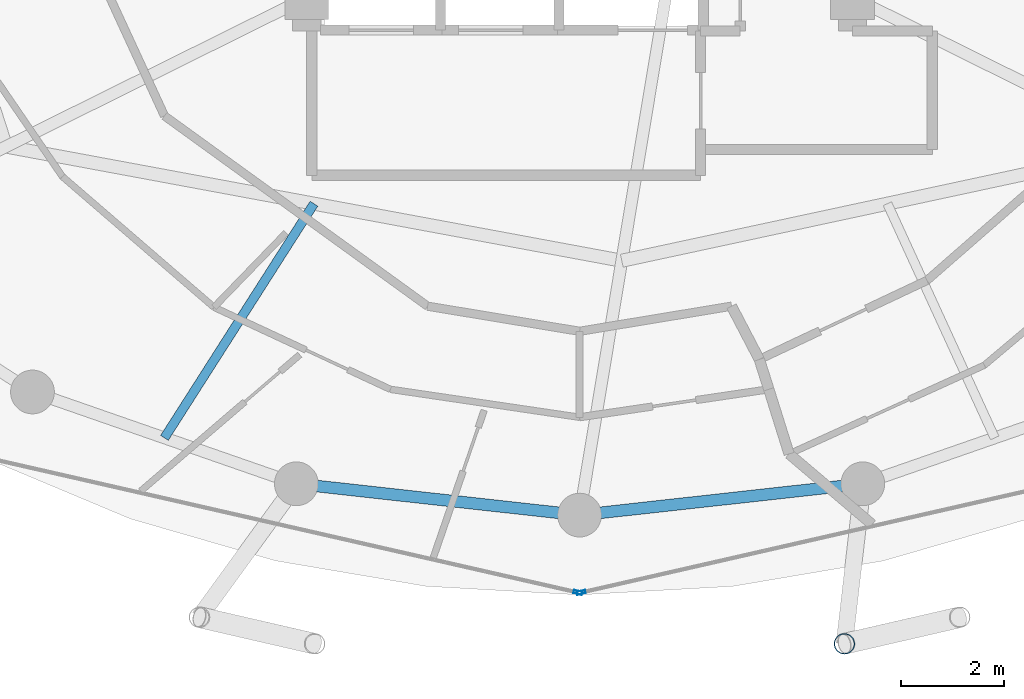
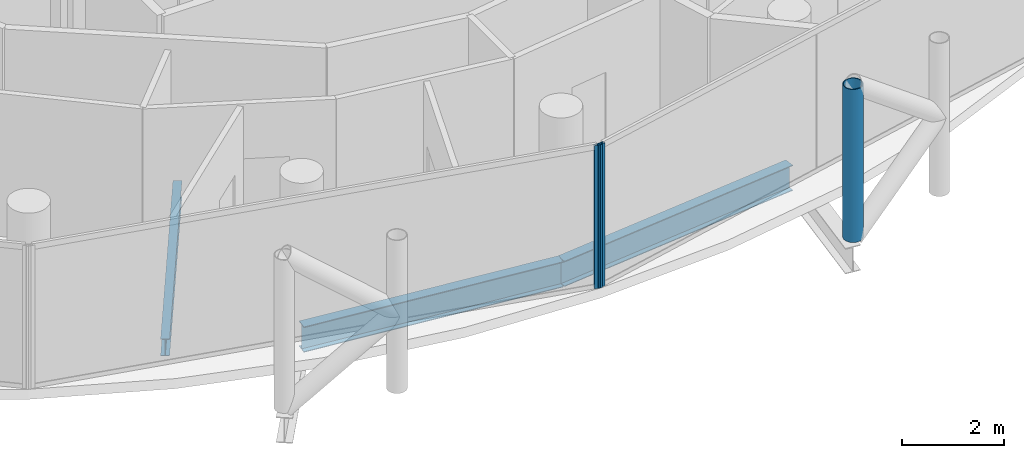
# One storey, part 5 of 27: 3 beams, 3 members, 2 elements without a shape of their own.
"""IFC4 building model written with IfcOpenShell, lengths in metres."""

from ifc_helpers import new_model, si_unit, direction, frame, origin, origin_2d, place, context, subcontext, project, spatial, hollow_rectangle, hollow_circle, i_section, extrude, material, layer, layer_set, material_profile, profile_set, type_object, element, aggregate, save


model = new_model("IFC4")

# Units and contexts
model_context = context("Model", 3, precision=1e-05, world=origin(), true_north=direction((0.0, 1.0)))
body_context = subcontext(model_context, "Body", "Model", "MODEL_VIEW")
ifc_project = project(units=[si_unit("LENGTHUNIT", "METRE"), si_unit("AREAUNIT", "SQUARE_METRE"), si_unit("VOLUMEUNIT", "CUBIC_METRE"), si_unit("PLANEANGLEUNIT", "RADIAN"), si_unit("MASSUNIT", "GRAM", prefix="KILO")], contexts=[model_context])

# Site, building, storey
site_placement = place(None, origin())
site = spatial("IfcSite", under=ifc_project, at=site_placement, CompositionType="ELEMENT")
building_placement = place(site_placement, origin())
building = spatial("IfcBuilding", under=site, at=building_placement, Name="Nuhasar Tower", CompositionType="ELEMENT")
storey_placement = place(building_placement, frame((0.0, 0.0, 244.64990234375)))
storey = spatial("IfcBuildingStorey", under=building, at=storey_placement, Name="L60", CompositionType="ELEMENT", Elevation=244.64990234375)

# Beams
ifc_material_1 = material(Name="Steel S355", Category="steel")
ifc_material_profile_1 = material_profile(ifc_material_1, i_section(OverallWidth=0.177978515625, OverallDepth=0.406005859375, WebThickness=0.0078125, FlangeThickness=0.0126953125, at=origin_2d()), Name="W16X40")
ifc_profile_set_1 = profile_set([ifc_material_profile_1], Name="Steel S355")
beam_type_1 = type_object("IfcBeamType", Name="BM-JST-W16X40", PredefinedType="JOIST", material=ifc_profile_set_1)
beam_placement = place(storey_placement, frame((33.842041015625, 14.998046875, -0.44287109375), z_axis=(-0.538168818546, -0.842837067733, 0.0), x_axis=(0.842837067733, -0.538168818546, 0.0)))
element("IfcBeam", 1, at=beam_placement, inside=storey, type_object=beam_type_1, Name="L60 Secondary Floor Joist 01", PredefinedType="JOIST", context=body_context, shape_type="SweptSolid", body=[
    extrude(i_section(OverallWidth=0.177978515625, OverallDepth=0.406005859375, WebThickness=0.0078125, FlangeThickness=0.0126953125, at=origin_2d()), origin(), (0.0, 0.0, 1.0), 5.396240234375),
])
ifc_material_profile_2 = material_profile(ifc_material_1, i_section(OverallWidth=0.22802734375, OverallDepth=0.60791015625, WebThickness=0.01123046875, FlangeThickness=0.017333984375, at=origin_2d()), Name="W24X76")
ifc_profile_set_2 = profile_set([ifc_material_profile_2], Name="Steel S355")
beam_type_2 = type_object("IfcBeamType", Name="BM-RING-W24X76", PredefinedType="SPANDREL", material=ifc_profile_set_2)
for number, where, z_axis, x_axis, name in (
    (2, (33.5, 9.55810546875, -0.5439453125), (0.993942242238, -0.109903680993, 0.0), (0.109903680993, 0.993942242238, 0.0), "L60 Perimeter Ring Spandrel 18"),
    (3, (39.0, 8.949951171875, -0.5439453125), (0.993942242238, 0.109903680993, 0.0), (-0.109903680993, 0.993942242238, 0.0), "L60 Perimeter Ring Spandrel 19"),
):
    element("IfcBeam", number, at=place(storey_placement, frame(where, z_axis=z_axis, x_axis=x_axis)), inside=storey, type_object=beam_type_2, Name=name, PredefinedType="SPANDREL", context=body_context, shape_type="SweptSolid", body=[
        extrude(i_section(OverallWidth=0.22802734375, OverallDepth=0.60791015625, WebThickness=0.01123046875, FlangeThickness=0.017333984375, at=origin_2d()), origin(), (0.0, 0.0, 1.0), 5.533447265625),
    ])

# Curtain wall, member
ifc_material_2 = material(Name="Aluminium 6063-T6", Category="aluminium")
ifc_layer = layer(ifc_material_2, 0.18994140625)
ifc_layer_set = layer_set([ifc_layer], Name="Aluminium 6063-T6")
curtain_wall_type = type_object("IfcCurtainWallType", Name="CW-Z3-RES", PredefinedType="NOTDEFINED", material=ifc_layer_set)
curtain_wall_1_placement = place(storey_placement, origin())
curtain_wall_1 = element("IfcCurtainWall", 4, at=curtain_wall_1_placement, inside=storey, type_object=curtain_wall_type, Name="L60 Unitised Curtain Wall 09", PredefinedType="NOTDEFINED")
ifc_material_profile_3 = material_profile(ifc_material_2, hollow_rectangle(XDim=0.06494140625, YDim=0.169921875, WallThickness=0.0048828125, at=origin_2d()), Name="CWM-4")
ifc_profile_set_3 = profile_set([ifc_material_profile_3], Name="Aluminium 6063-T6")
member_type_1 = type_object("IfcMemberType", Name="CW-MUL-S4", PredefinedType="MULLION", material=ifc_profile_set_3)
member_1_placement = place(storey_placement, frame((38.96826171875, 7.447265625, 0.0), z_axis=(0.0, 0.0, 1.0), x_axis=(0.222243176313, 0.974991266926, 0.0)))
member_1 = element("IfcMember", 5, at=member_1_placement, type_object=member_type_1, Name="CW-Z3 mullion 2", PredefinedType="MULLION", context=body_context, shape_type="SweptSolid", body=[
    extrude(hollow_rectangle(XDim=0.06494140625, YDim=0.169921875, WallThickness=0.0048828125, at=origin_2d()), origin(), (0.0, 0.0, 1.0), 3.41015625),
])
aggregate(curtain_wall_1, [member_1])

curtain_wall_2_placement = place(storey_placement, origin())
curtain_wall_2 = element("IfcCurtainWall", 6, at=curtain_wall_2_placement, inside=storey, type_object=curtain_wall_type, Name="L60 Unitised Curtain Wall 10", PredefinedType="NOTDEFINED")
member_2_placement = place(storey_placement, frame((39.03173828125, 7.447265625, 0.0), z_axis=(0.0, 0.0, 1.0), x_axis=(-0.222243176313, 0.974991266926, 0.0)))
member_2 = element("IfcMember", 7, at=member_2_placement, type_object=member_type_1, Name="CW-Z3 mullion 1", PredefinedType="MULLION", context=body_context, shape_type="SweptSolid", body=[
    extrude(hollow_rectangle(XDim=0.06494140625, YDim=0.169921875, WallThickness=0.0048828125, at=origin_2d()), origin(), (0.0, 0.0, 1.0), 3.41015625),
])
aggregate(curtain_wall_2, [member_2])

# Member
ifc_material_3 = material(Name="Steel S460", Category="steel")
ifc_material_profile_4 = material_profile(ifc_material_3, hollow_circle(Radius=0.203125, WallThickness=0.01904296875, at=origin_2d()), Name="HSS406.4X19.1")
ifc_profile_set_4 = profile_set([ifc_material_profile_4], Name="Steel S460")
member_type_2 = type_object("IfcMemberType", Name="EXO-BRONZE-406", PredefinedType="BRACE", material=ifc_profile_set_4)
member_3_placement = place(storey_placement, frame((44.14306640625, 6.450927734375, 0.0), z_axis=(0.0, 0.0, 1.0), x_axis=(1.0, 0.0, 0.0)))
element("IfcMember", 8, at=member_3_placement, inside=storey, type_object=member_type_2, Name="L60 Exoskeleton Chord Column EC-10A", PredefinedType="BRACE", context=body_context, shape_type="SweptSolid", body=[
    extrude(hollow_circle(Radius=0.203125, WallThickness=0.01904296875, at=origin_2d()), origin(), (0.0, 0.0, 1.0), 3.650146484375),
])

save(model, "model.ifc")
